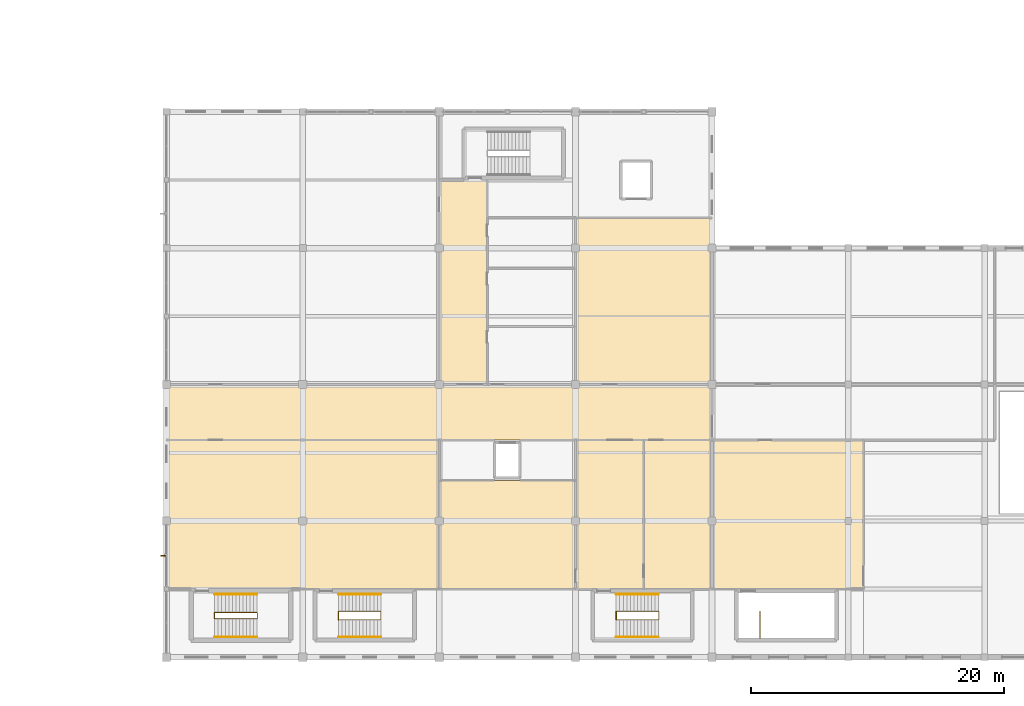
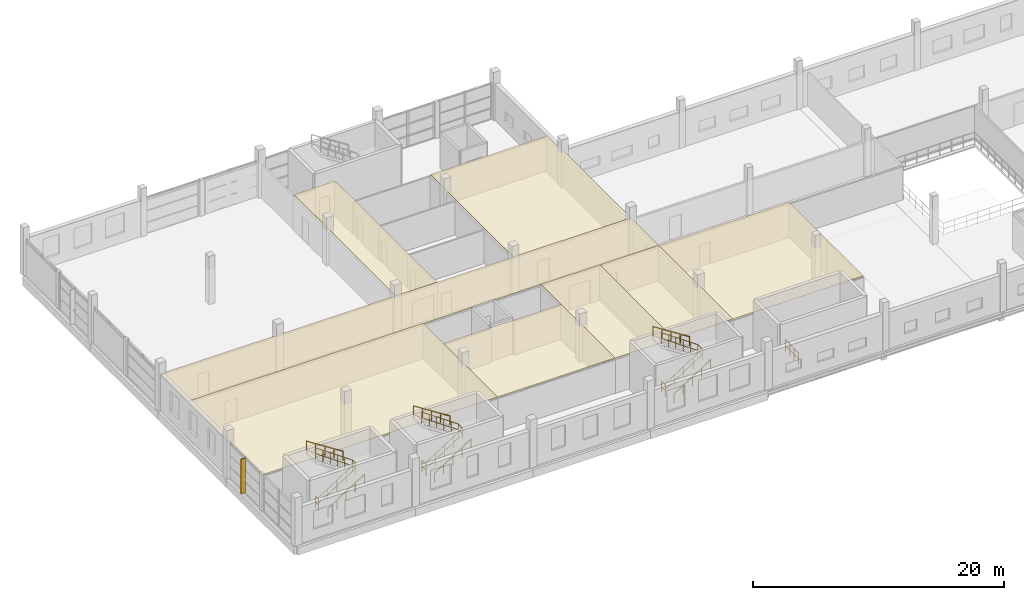
# One storey, part 21 of 24: 13 railings, 8 coverings, 1 shading device.
"""IFC4 building model written with IfcOpenShell, lengths in metres."""

from ifc_helpers import new_model, si_unit, direction, frame, origin, origin_2d, place, context, subcontext, project, spatial, polyline, rectangle, circle, outline, extrude, material, layer, layer_set, type_object, element, save


model = new_model("IFC4")

# Units and contexts
model_context = context("Model", 3, precision=1e-05, world=origin(), true_north=direction((0.0, 1.0)))
body_context = subcontext(model_context, "Body", "Model", "MODEL_VIEW")
ifc_project = project(units=[si_unit("LENGTHUNIT", "METRE"), si_unit("AREAUNIT", "SQUARE_METRE"), si_unit("VOLUMEUNIT", "CUBIC_METRE"), si_unit("PLANEANGLEUNIT", "RADIAN"), si_unit("MASSUNIT", "GRAM", prefix="KILO")], contexts=[model_context])

# Site, building, storey
site_placement = place(None, origin())
site = spatial("IfcSite", under=ifc_project, at=site_placement, CompositionType="ELEMENT")
building_placement = place(site_placement, origin())
building = spatial("IfcBuilding", under=site, at=building_placement, Name="Zwinboog Wholesale Market", CompositionType="ELEMENT")
storey_placement = place(building_placement, frame((0.0, 0.0, 10.080078125)))
storey = spatial("IfcBuildingStorey", under=building, at=storey_placement, Name="L02", CompositionType="ELEMENT", Elevation=10.080078125)

# Shading device
ifc_material_1 = material(Name="Western red cedar timber", Category="wood")
shading_device_type = type_object("IfcShadingDeviceType", Name="SHD-FIN-CEDAR", PredefinedType="USERDEFINED", material=ifc_material_1)
shading_device_placement = place(storey_placement, frame((129.344970703125, 8.0400390625, 0.080078125), z_axis=(0.0, 0.0, 1.0), x_axis=(1.0, 0.0, 0.0)))
element("IfcShadingDevice", 1, at=shading_device_placement, inside=storey, type_object=shading_device_type, Name="FN-01 (SHD-FIN-045)", ObjectType="FIN", PredefinedType="USERDEFINED", context=body_context, shape_type="SweptSolid", body=[
    extrude(rectangle(XDim=0.419921875, YDim=0.0849609375, at=origin_2d()), origin(), (0.0, 0.0, 1.0), 3.3798828125),
])

# Railings
ifc_material_2 = material(Name="Steel S355", Category="steel")
railing_type_1 = type_object("IfcRailingType", Name="RLT-INT-GUARD", PredefinedType="BALUSTRADE", material=ifc_material_2)
railing_1_placement = place(storey_placement, frame((176.6201171875, 3.639892578125, 0.0)))
element("IfcRailing", 2, at=railing_1_placement, inside=storey, type_object=railing_type_1, Name="GR-02 (RLG-ST-09B-GTOP)", PredefinedType="BALUSTRADE", context=body_context, shape_type="SweptSolid", body=[
    extrude(circle(Radius=0.02392578125, at=origin_2d()), frame((0.0, 0.0, 1.09619140625), z_axis=(0.0, -1.0, 0.0), x_axis=(1.0, 0.0, 0.0)), (0.0, 0.0, 1.0), 2.099853515625),
    extrude(circle(Radius=0.02392578125, at=origin_2d()), frame((0.0, 0.0, 0.5361328125), z_axis=(0.0, -1.0, 0.0), x_axis=(1.0, 0.0, 0.0)), (0.0, 0.0, 1.0), 2.099853515625),
    extrude(circle(Radius=0.02099609375, at=origin_2d()), origin(), (0.0, 0.0, 1.0), 1.072021484375),
    extrude(circle(Radius=0.02099609375, at=origin_2d()), frame((0.0, -0.699951171875, 0.0)), (0.0, 0.0, 1.0), 1.072021484375),
    extrude(circle(Radius=0.02099609375, at=origin_2d()), frame((0.0, -1.39990234375, 0.0)), (0.0, 0.0, 1.0), 1.072021484375),
    extrude(circle(Radius=0.02099609375, at=origin_2d()), frame((0.0, -2.099853515625, 0.0)), (0.0, 0.0, 1.0), 1.072021484375),
])
railing_2_placement = place(storey_placement, frame((133.419921875, 3.5400390625, 0.0)))
element("IfcRailing", 3, at=railing_2_placement, inside=storey, type_object=railing_type_1, Name="GR-02 (RLG-ST-10B-GTOP)", PredefinedType="BALUSTRADE", context=body_context, shape_type="SweptSolid", body=[
    extrude(circle(Radius=0.02392578125, at=origin_2d()), frame((0.0, 0.0, 1.09619140625), z_axis=(0.0, -1.0, 0.0), x_axis=(1.0, 0.0, 0.0)), (0.0, 0.0, 1.0), 0.47998046875),
    extrude(circle(Radius=0.02392578125, at=origin_2d()), frame((0.0, 0.0, 0.5361328125), z_axis=(0.0, -1.0, 0.0), x_axis=(1.0, 0.0, 0.0)), (0.0, 0.0, 1.0), 0.47998046875),
    extrude(circle(Radius=0.02099609375, at=origin_2d()), origin(), (0.0, 0.0, 1.0), 1.072021484375),
    extrude(circle(Radius=0.02099609375, at=origin_2d()), frame((0.0, -0.47998046875, 0.0)), (0.0, 0.0, 1.0), 1.072021484375),
])
railing_3_placement = place(storey_placement, frame((133.419921875, 3.06005859375, 0.179931640625)))
element("IfcRailing", 4, at=railing_3_placement, inside=storey, type_object=railing_type_1, Name="GR-02 (RLG-ST-10C-G1)", PredefinedType="BALUSTRADE", context=body_context, shape_type="SweptSolid", body=[
    extrude(circle(Radius=0.02392578125, at=origin_2d()), frame((0.0, 0.0, 1.09619140625), z_axis=(0.84119634759, 0.0, 0.540729789082), x_axis=(0.0, 1.0, 0.0)), (0.0, 0.0, 1.0), 3.994384765625),
    extrude(circle(Radius=0.02392578125, at=origin_2d()), frame((0.0, 0.0, 0.5361328125), z_axis=(0.84119634759, 0.0, 0.540729789082), x_axis=(0.0, 1.0, 0.0)), (0.0, 0.0, 1.0), 3.994384765625),
    extrude(circle(Radius=0.02392578125, at=origin_2d()), frame((3.360107421875, 0.0, 3.255859375), z_axis=(0.0, 1.0, 0.0), x_axis=(-1.0, 0.0, 0.0)), (0.0, 0.0, 1.0), 0.47998046875),
    extrude(circle(Radius=0.02392578125, at=origin_2d()), frame((3.360107421875, 0.0, 2.69580078125), z_axis=(0.0, 1.0, 0.0), x_axis=(-1.0, 0.0, 0.0)), (0.0, 0.0, 1.0), 0.47998046875),
    extrude(circle(Radius=0.02392578125, at=origin_2d()), frame((3.360107421875, 0.47998046875, 3.255859375), z_axis=(-0.820604917691, 0.0, 0.571495904677), x_axis=(0.0, -1.0, 0.0)), (0.0, 0.0, 1.0), 4.0947265625),
    extrude(circle(Radius=0.02392578125, at=origin_2d()), frame((3.360107421875, 0.47998046875, 2.69580078125), z_axis=(-0.820604917691, 0.0, 0.571495904677), x_axis=(0.0, -1.0, 0.0)), (0.0, 0.0, 1.0), 4.0947265625),
    extrude(circle(Radius=0.02099609375, at=origin_2d()), origin(), (0.0, 0.0, 1.0), 1.072021484375),
    extrude(circle(Radius=0.02099609375, at=origin_2d()), frame((0.840087890625, 0.0, 0.5400390625)), (0.0, 0.0, 1.0), 1.072021484375),
    extrude(circle(Radius=0.02099609375, at=origin_2d()), frame((1.68017578125, 0.0, 1.080078125)), (0.0, 0.0, 1.0), 1.072021484375),
    extrude(circle(Radius=0.02099609375, at=origin_2d()), frame((2.52001953125, 0.0, 1.619873046875)), (0.0, 0.0, 1.0), 1.072021484375),
    extrude(circle(Radius=0.02099609375, at=origin_2d()), frame((3.360107421875, 0.0, 2.159912109375)), (0.0, 0.0, 1.0), 1.072021484375),
    extrude(circle(Radius=0.02099609375, at=origin_2d()), frame((3.360107421875, 0.47998046875, 2.159912109375)), (0.0, 0.0, 1.0), 1.072021484375),
    extrude(circle(Radius=0.02099609375, at=origin_2d()), frame((2.68798828125, 0.47998046875, 2.6279296875)), (0.0, 0.0, 1.0), 1.072021484375),
    extrude(circle(Radius=0.02099609375, at=origin_2d()), frame((2.01611328125, 0.47998046875, 3.095947265625)), (0.0, 0.0, 1.0), 1.072021484375),
    extrude(circle(Radius=0.02099609375, at=origin_2d()), frame((1.343994140625, 0.47998046875, 3.56396484375)), (0.0, 0.0, 1.0), 1.072021484375),
    extrude(circle(Radius=0.02099609375, at=origin_2d()), frame((0.672119140625, 0.47998046875, 4.031982421875)), (0.0, 0.0, 1.0), 1.072021484375),
    extrude(circle(Radius=0.02099609375, at=origin_2d()), frame((0.0, 0.47998046875, 4.5)), (0.0, 0.0, 1.0), 1.072021484375),
])
railing_4_placement = place(storey_placement, frame((165.219970703125, 3.639892578125, 0.0)))
element("IfcRailing", 5, at=railing_4_placement, inside=storey, type_object=railing_type_1, Name="GR-02 (RLG-ST-11B-GTOP)", PredefinedType="BALUSTRADE", context=body_context, shape_type="SweptSolid", body=[
    extrude(circle(Radius=0.02392578125, at=origin_2d()), frame((0.0, 0.0, 1.09619140625), z_axis=(0.0, -1.0, 0.0), x_axis=(1.0, 0.0, 0.0)), (0.0, 0.0, 1.0), 0.679931640625),
    extrude(circle(Radius=0.02392578125, at=origin_2d()), frame((0.0, 0.0, 0.5361328125), z_axis=(0.0, -1.0, 0.0), x_axis=(1.0, 0.0, 0.0)), (0.0, 0.0, 1.0), 0.679931640625),
    extrude(circle(Radius=0.02099609375, at=origin_2d()), origin(), (0.0, 0.0, 1.0), 1.072021484375),
    extrude(circle(Radius=0.02099609375, at=origin_2d()), frame((0.0, -0.679931640625, 0.0)), (0.0, 0.0, 1.0), 1.072021484375),
])
railing_5_placement = place(storey_placement, frame((165.219970703125, 2.9599609375, 0.179931640625)))
element("IfcRailing", 6, at=railing_5_placement, inside=storey, type_object=railing_type_1, Name="GR-02 (RLG-ST-11C-G1)", PredefinedType="BALUSTRADE", context=body_context, shape_type="SweptSolid", body=[
    extrude(circle(Radius=0.02392578125, at=origin_2d()), frame((0.0, 0.0, 1.09619140625), z_axis=(0.84119634759, 0.0, 0.540729789082), x_axis=(0.0, 1.0, 0.0)), (0.0, 0.0, 1.0), 3.994384765625),
    extrude(circle(Radius=0.02392578125, at=origin_2d()), frame((0.0, 0.0, 0.5361328125), z_axis=(0.84119634759, 0.0, 0.540729789082), x_axis=(0.0, 1.0, 0.0)), (0.0, 0.0, 1.0), 3.994384765625),
    extrude(circle(Radius=0.02392578125, at=origin_2d()), frame((3.360107421875, 0.0, 3.255859375), z_axis=(0.0, 1.0, 0.0), x_axis=(-1.0, 0.0, 0.0)), (0.0, 0.0, 1.0), 0.679931640625),
    extrude(circle(Radius=0.02392578125, at=origin_2d()), frame((3.360107421875, 0.0, 2.69580078125), z_axis=(0.0, 1.0, 0.0), x_axis=(-1.0, 0.0, 0.0)), (0.0, 0.0, 1.0), 0.679931640625),
    extrude(circle(Radius=0.02392578125, at=origin_2d()), frame((3.360107421875, 0.679931640625, 3.255859375), z_axis=(-0.820604917691, 0.0, 0.571495904677), x_axis=(0.0, -1.0, 0.0)), (0.0, 0.0, 1.0), 4.0947265625),
    extrude(circle(Radius=0.02392578125, at=origin_2d()), frame((3.360107421875, 0.679931640625, 2.69580078125), z_axis=(-0.820604917691, 0.0, 0.571495904677), x_axis=(0.0, -1.0, 0.0)), (0.0, 0.0, 1.0), 4.0947265625),
    extrude(circle(Radius=0.02099609375, at=origin_2d()), origin(), (0.0, 0.0, 1.0), 1.072021484375),
    extrude(circle(Radius=0.02099609375, at=origin_2d()), frame((0.840087890625, 0.0, 0.5400390625)), (0.0, 0.0, 1.0), 1.072021484375),
    extrude(circle(Radius=0.02099609375, at=origin_2d()), frame((1.68017578125, 0.0, 1.080078125)), (0.0, 0.0, 1.0), 1.072021484375),
    extrude(circle(Radius=0.02099609375, at=origin_2d()), frame((2.52001953125, 0.0, 1.619873046875)), (0.0, 0.0, 1.0), 1.072021484375),
    extrude(circle(Radius=0.02099609375, at=origin_2d()), frame((3.360107421875, 0.0, 2.159912109375)), (0.0, 0.0, 1.0), 1.072021484375),
    extrude(circle(Radius=0.02099609375, at=origin_2d()), frame((3.360107421875, 0.679931640625, 2.159912109375)), (0.0, 0.0, 1.0), 1.072021484375),
    extrude(circle(Radius=0.02099609375, at=origin_2d()), frame((2.68798828125, 0.679931640625, 2.6279296875)), (0.0, 0.0, 1.0), 1.072021484375),
    extrude(circle(Radius=0.02099609375, at=origin_2d()), frame((2.01611328125, 0.679931640625, 3.095947265625)), (0.0, 0.0, 1.0), 1.072021484375),
    extrude(circle(Radius=0.02099609375, at=origin_2d()), frame((1.343994140625, 0.679931640625, 3.56396484375)), (0.0, 0.0, 1.0), 1.072021484375),
    extrude(circle(Radius=0.02099609375, at=origin_2d()), frame((0.672119140625, 0.679931640625, 4.031982421875)), (0.0, 0.0, 1.0), 1.072021484375),
    extrude(circle(Radius=0.02099609375, at=origin_2d()), frame((0.0, 0.679931640625, 4.5)), (0.0, 0.0, 1.0), 1.072021484375),
])
railing_6_placement = place(storey_placement, frame((143.219970703125, 3.639892578125, 0.0)))
element("IfcRailing", 7, at=railing_6_placement, inside=storey, type_object=railing_type_1, Name="GR-02 (RLG-ST-13B-GTOP)", PredefinedType="BALUSTRADE", context=body_context, shape_type="SweptSolid", body=[
    extrude(circle(Radius=0.02392578125, at=origin_2d()), frame((0.0, 0.0, 1.09619140625), z_axis=(0.0, -1.0, 0.0), x_axis=(1.0, 0.0, 0.0)), (0.0, 0.0, 1.0), 0.679931640625),
    extrude(circle(Radius=0.02392578125, at=origin_2d()), frame((0.0, 0.0, 0.5361328125), z_axis=(0.0, -1.0, 0.0), x_axis=(1.0, 0.0, 0.0)), (0.0, 0.0, 1.0), 0.679931640625),
    extrude(circle(Radius=0.02099609375, at=origin_2d()), origin(), (0.0, 0.0, 1.0), 1.072021484375),
    extrude(circle(Radius=0.02099609375, at=origin_2d()), frame((0.0, -0.679931640625, 0.0)), (0.0, 0.0, 1.0), 1.072021484375),
])
railing_7_placement = place(storey_placement, frame((143.219970703125, 2.9599609375, 0.179931640625)))
element("IfcRailing", 8, at=railing_7_placement, inside=storey, type_object=railing_type_1, Name="GR-02 (RLG-ST-13C-G1)", PredefinedType="BALUSTRADE", context=body_context, shape_type="SweptSolid", body=[
    extrude(circle(Radius=0.02392578125, at=origin_2d()), frame((0.0, 0.0, 1.09619140625), z_axis=(0.84119634759, 0.0, 0.540729789082), x_axis=(0.0, 1.0, 0.0)), (0.0, 0.0, 1.0), 3.994384765625),
    extrude(circle(Radius=0.02392578125, at=origin_2d()), frame((0.0, 0.0, 0.5361328125), z_axis=(0.84119634759, 0.0, 0.540729789082), x_axis=(0.0, 1.0, 0.0)), (0.0, 0.0, 1.0), 3.994384765625),
    extrude(circle(Radius=0.02392578125, at=origin_2d()), frame((3.360107421875, 0.0, 3.255859375), z_axis=(0.0, 1.0, 0.0), x_axis=(-1.0, 0.0, 0.0)), (0.0, 0.0, 1.0), 0.679931640625),
    extrude(circle(Radius=0.02392578125, at=origin_2d()), frame((3.360107421875, 0.0, 2.69580078125), z_axis=(0.0, 1.0, 0.0), x_axis=(-1.0, 0.0, 0.0)), (0.0, 0.0, 1.0), 0.679931640625),
    extrude(circle(Radius=0.02392578125, at=origin_2d()), frame((3.360107421875, 0.679931640625, 3.255859375), z_axis=(-0.820604917691, 0.0, 0.571495904677), x_axis=(0.0, -1.0, 0.0)), (0.0, 0.0, 1.0), 4.0947265625),
    extrude(circle(Radius=0.02392578125, at=origin_2d()), frame((3.360107421875, 0.679931640625, 2.69580078125), z_axis=(-0.820604917691, 0.0, 0.571495904677), x_axis=(0.0, -1.0, 0.0)), (0.0, 0.0, 1.0), 4.0947265625),
    extrude(circle(Radius=0.02099609375, at=origin_2d()), origin(), (0.0, 0.0, 1.0), 1.072021484375),
    extrude(circle(Radius=0.02099609375, at=origin_2d()), frame((0.840087890625, 0.0, 0.5400390625)), (0.0, 0.0, 1.0), 1.072021484375),
    extrude(circle(Radius=0.02099609375, at=origin_2d()), frame((1.68017578125, 0.0, 1.080078125)), (0.0, 0.0, 1.0), 1.072021484375),
    extrude(circle(Radius=0.02099609375, at=origin_2d()), frame((2.52001953125, 0.0, 1.619873046875)), (0.0, 0.0, 1.0), 1.072021484375),
    extrude(circle(Radius=0.02099609375, at=origin_2d()), frame((3.360107421875, 0.0, 2.159912109375)), (0.0, 0.0, 1.0), 1.072021484375),
    extrude(circle(Radius=0.02099609375, at=origin_2d()), frame((3.360107421875, 0.679931640625, 2.159912109375)), (0.0, 0.0, 1.0), 1.072021484375),
    extrude(circle(Radius=0.02099609375, at=origin_2d()), frame((2.68798828125, 0.679931640625, 2.6279296875)), (0.0, 0.0, 1.0), 1.072021484375),
    extrude(circle(Radius=0.02099609375, at=origin_2d()), frame((2.01611328125, 0.679931640625, 3.095947265625)), (0.0, 0.0, 1.0), 1.072021484375),
    extrude(circle(Radius=0.02099609375, at=origin_2d()), frame((1.343994140625, 0.679931640625, 3.56396484375)), (0.0, 0.0, 1.0), 1.072021484375),
    extrude(circle(Radius=0.02099609375, at=origin_2d()), frame((0.672119140625, 0.679931640625, 4.031982421875)), (0.0, 0.0, 1.0), 1.072021484375),
    extrude(circle(Radius=0.02099609375, at=origin_2d()), frame((0.0, 0.679931640625, 4.5)), (0.0, 0.0, 1.0), 1.072021484375),
])
railing_type_2 = type_object("IfcRailingType", Name="RLT-HANDRAIL", PredefinedType="HANDRAIL", material=ifc_material_2)
railing_8_placement = place(storey_placement, frame((133.419921875, 1.610107421875, 0.179931640625)))
element("IfcRailing", 9, at=railing_8_placement, inside=storey, type_object=railing_type_2, Name="HR-01 (RLG-ST-10C-HR1)", PredefinedType="HANDRAIL", context=body_context, shape_type="SweptSolid", body=[
    extrude(circle(Radius=0.02392578125, at=origin_2d()), frame((0.0, 0.0, 0.8759765625), z_axis=(0.84119634759, 0.0, 0.540729789082), x_axis=(0.0, 1.0, 0.0)), (0.0, 0.0, 1.0), 3.994384765625),
    extrude(circle(Radius=0.02099609375, at=origin_2d()), origin(), (0.0, 0.0, 1.0), 0.851806640625),
    extrude(circle(Radius=0.02099609375, at=origin_2d()), frame((0.840087890625, 0.0, 0.5400390625)), (0.0, 0.0, 1.0), 0.851806640625),
    extrude(circle(Radius=0.02099609375, at=origin_2d()), frame((1.68017578125, 0.0, 1.080078125)), (0.0, 0.0, 1.0), 0.851806640625),
    extrude(circle(Radius=0.02099609375, at=origin_2d()), frame((2.52001953125, 0.0, 1.619873046875)), (0.0, 0.0, 1.0), 0.851806640625),
    extrude(circle(Radius=0.02099609375, at=origin_2d()), frame((3.360107421875, 0.0, 2.159912109375)), (0.0, 0.0, 1.0), 0.851806640625),
])
railing_9_placement = place(storey_placement, frame((136.780029296875, 4.989990234375, 2.52001953125)))
element("IfcRailing", 10, at=railing_9_placement, inside=storey, type_object=railing_type_2, Name="HR-01 (RLG-ST-10C-HR2)", PredefinedType="HANDRAIL", context=body_context, shape_type="SweptSolid", body=[
    extrude(circle(Radius=0.02392578125, at=origin_2d()), frame((0.0, 0.0, 0.8759765625), z_axis=(-0.84119634759, 0.0, 0.540729789082), x_axis=(0.0, -1.0, 0.0)), (0.0, 0.0, 1.0), 3.994384765625),
    extrude(circle(Radius=0.02099609375, at=origin_2d()), origin(), (0.0, 0.0, 1.0), 0.851806640625),
    extrude(circle(Radius=0.02099609375, at=origin_2d()), frame((-0.840087890625, 0.0, 0.5400390625)), (0.0, 0.0, 1.0), 0.851806640625),
    extrude(circle(Radius=0.02099609375, at=origin_2d()), frame((-1.68017578125, 0.0, 1.080078125)), (0.0, 0.0, 1.0), 0.851806640625),
    extrude(circle(Radius=0.02099609375, at=origin_2d()), frame((-2.52001953125, 0.0, 1.619873046875)), (0.0, 0.0, 1.0), 0.851806640625),
    extrude(circle(Radius=0.02099609375, at=origin_2d()), frame((-3.360107421875, 0.0, 2.159912109375)), (0.0, 0.0, 1.0), 0.851806640625),
])
railing_10_placement = place(storey_placement, frame((165.219970703125, 1.610107421875, 0.179931640625)))
element("IfcRailing", 11, at=railing_10_placement, inside=storey, type_object=railing_type_2, Name="HR-01 (RLG-ST-11C-HR1)", PredefinedType="HANDRAIL", context=body_context, shape_type="SweptSolid", body=[
    extrude(circle(Radius=0.02392578125, at=origin_2d()), frame((0.0, 0.0, 0.8759765625), z_axis=(0.84119634759, 0.0, 0.540729789082), x_axis=(0.0, 1.0, 0.0)), (0.0, 0.0, 1.0), 3.994384765625),
    extrude(circle(Radius=0.02099609375, at=origin_2d()), origin(), (0.0, 0.0, 1.0), 0.851806640625),
    extrude(circle(Radius=0.02099609375, at=origin_2d()), frame((0.840087890625, 0.0, 0.5400390625)), (0.0, 0.0, 1.0), 0.851806640625),
    extrude(circle(Radius=0.02099609375, at=origin_2d()), frame((1.68017578125, 0.0, 1.080078125)), (0.0, 0.0, 1.0), 0.851806640625),
    extrude(circle(Radius=0.02099609375, at=origin_2d()), frame((2.52001953125, 0.0, 1.619873046875)), (0.0, 0.0, 1.0), 0.851806640625),
    extrude(circle(Radius=0.02099609375, at=origin_2d()), frame((3.360107421875, 0.0, 2.159912109375)), (0.0, 0.0, 1.0), 0.851806640625),
])
railing_11_placement = place(storey_placement, frame((168.580078125, 4.989990234375, 2.52001953125)))
element("IfcRailing", 12, at=railing_11_placement, inside=storey, type_object=railing_type_2, Name="HR-01 (RLG-ST-11C-HR2)", PredefinedType="HANDRAIL", context=body_context, shape_type="SweptSolid", body=[
    extrude(circle(Radius=0.02392578125, at=origin_2d()), frame((0.0, 0.0, 0.8759765625), z_axis=(-0.84119634759, 0.0, 0.540729789082), x_axis=(0.0, -1.0, 0.0)), (0.0, 0.0, 1.0), 3.994384765625),
    extrude(circle(Radius=0.02099609375, at=origin_2d()), origin(), (0.0, 0.0, 1.0), 0.851806640625),
    extrude(circle(Radius=0.02099609375, at=origin_2d()), frame((-0.840087890625, 0.0, 0.5400390625)), (0.0, 0.0, 1.0), 0.851806640625),
    extrude(circle(Radius=0.02099609375, at=origin_2d()), frame((-1.68017578125, 0.0, 1.080078125)), (0.0, 0.0, 1.0), 0.851806640625),
    extrude(circle(Radius=0.02099609375, at=origin_2d()), frame((-2.52001953125, 0.0, 1.619873046875)), (0.0, 0.0, 1.0), 0.851806640625),
    extrude(circle(Radius=0.02099609375, at=origin_2d()), frame((-3.360107421875, 0.0, 2.159912109375)), (0.0, 0.0, 1.0), 0.851806640625),
])
railing_12_placement = place(storey_placement, frame((143.219970703125, 1.610107421875, 0.179931640625)))
element("IfcRailing", 13, at=railing_12_placement, inside=storey, type_object=railing_type_2, Name="HR-01 (RLG-ST-13C-HR1)", PredefinedType="HANDRAIL", context=body_context, shape_type="SweptSolid", body=[
    extrude(circle(Radius=0.02392578125, at=origin_2d()), frame((0.0, 0.0, 0.8759765625), z_axis=(0.84119634759, 0.0, 0.540729789082), x_axis=(0.0, 1.0, 0.0)), (0.0, 0.0, 1.0), 3.994384765625),
    extrude(circle(Radius=0.02099609375, at=origin_2d()), origin(), (0.0, 0.0, 1.0), 0.851806640625),
    extrude(circle(Radius=0.02099609375, at=origin_2d()), frame((0.840087890625, 0.0, 0.5400390625)), (0.0, 0.0, 1.0), 0.851806640625),
    extrude(circle(Radius=0.02099609375, at=origin_2d()), frame((1.68017578125, 0.0, 1.080078125)), (0.0, 0.0, 1.0), 0.851806640625),
    extrude(circle(Radius=0.02099609375, at=origin_2d()), frame((2.52001953125, 0.0, 1.619873046875)), (0.0, 0.0, 1.0), 0.851806640625),
    extrude(circle(Radius=0.02099609375, at=origin_2d()), frame((3.360107421875, 0.0, 2.159912109375)), (0.0, 0.0, 1.0), 0.851806640625),
])
railing_13_placement = place(storey_placement, frame((146.580078125, 4.989990234375, 2.52001953125)))
element("IfcRailing", 14, at=railing_13_placement, inside=storey, type_object=railing_type_2, Name="HR-01 (RLG-ST-13C-HR2)", PredefinedType="HANDRAIL", context=body_context, shape_type="SweptSolid", body=[
    extrude(circle(Radius=0.02392578125, at=origin_2d()), frame((0.0, 0.0, 0.8759765625), z_axis=(-0.84119634759, 0.0, 0.540729789082), x_axis=(0.0, -1.0, 0.0)), (0.0, 0.0, 1.0), 3.994384765625),
    extrude(circle(Radius=0.02099609375, at=origin_2d()), origin(), (0.0, 0.0, 1.0), 0.851806640625),
    extrude(circle(Radius=0.02099609375, at=origin_2d()), frame((-0.840087890625, 0.0, 0.5400390625)), (0.0, 0.0, 1.0), 0.851806640625),
    extrude(circle(Radius=0.02099609375, at=origin_2d()), frame((-1.68017578125, 0.0, 1.080078125)), (0.0, 0.0, 1.0), 0.851806640625),
    extrude(circle(Radius=0.02099609375, at=origin_2d()), frame((-2.52001953125, 0.0, 1.619873046875)), (0.0, 0.0, 1.0), 0.851806640625),
    extrude(circle(Radius=0.02099609375, at=origin_2d()), frame((-3.360107421875, 0.0, 2.159912109375)), (0.0, 0.0, 1.0), 0.851806640625),
])

# Coverings
ifc_material_3 = material(Name="Hygienic washable acoustic gypsum ceiling")
ifc_layer = layer(ifc_material_3, 0.050048828125)
ifc_layer_set = layer_set([ifc_layer], Name="Hygienic washable acoustic gypsum ceiling")
covering_type = type_object("IfcCoveringType", Name="COV-CEIL-HYG", PredefinedType="CEILING", material=ifc_layer_set)
covering_1_placement = place(storey_placement, frame((0.0, 0.0, 3.329833984375)))
element("IfcCovering", 15, at=covering_1_placement, inside=storey, type_object=covering_type, Name="CL-02 (COV-CL-L02-034)", PredefinedType="CEILING", context=body_context, shape_type="SweptSolid", body=[
    extrude(outline(polyline([(129.60009765625, 17.199951171875), (172.800048828125, 17.199951171875), (172.800048828125, 21.60009765625), (129.60009765625, 21.60009765625), (129.60009765625, 17.199951171875)])), origin(), (0.0, 0.0, 1.0), 0.050048828125),
])
covering_2_placement = place(storey_placement, frame((0.0, 0.0, 3.329833984375)))
element("IfcCovering", 16, at=covering_2_placement, inside=storey, type_object=covering_type, Name="CL-02 (COV-CL-L02-035)", PredefinedType="CEILING", context=body_context, shape_type="SweptSolid", body=[
    extrude(outline(polyline([(162.0, 5.39990234375), (167.39990234375, 5.39990234375), (167.39990234375, 17.199951171875), (162.0, 17.199951171875), (162.0, 5.39990234375)])), origin(), (0.0, 0.0, 1.0), 0.050048828125),
])
covering_3_placement = place(storey_placement, frame((0.0, 0.0, 3.329833984375)))
element("IfcCovering", 17, at=covering_3_placement, inside=storey, type_object=covering_type, Name="CL-02 (COV-CL-L02-036)", PredefinedType="CEILING", context=body_context, shape_type="SweptSolid", body=[
    extrude(outline(polyline([(129.60009765625, 5.39990234375), (151.199951171875, 5.39990234375), (151.199951171875, 17.199951171875), (129.60009765625, 17.199951171875), (129.60009765625, 5.39990234375)])), origin(), (0.0, 0.0, 1.0), 0.050048828125),
])
covering_4_placement = place(storey_placement, frame((0.0, 0.0, 3.329833984375)))
element("IfcCovering", 18, at=covering_4_placement, inside=storey, type_object=covering_type, Name="CL-02 (COV-CL-L02-037)", PredefinedType="CEILING", context=body_context, shape_type="SweptSolid", body=[
    extrude(outline(polyline([(151.199951171875, 5.39990234375), (162.0, 5.39990234375), (162.0, 14.0), (151.199951171875, 14.0), (151.199951171875, 5.39990234375)])), origin(), (0.0, 0.0, 1.0), 0.050048828125),
])
covering_5_placement = place(storey_placement, frame((0.0, 0.0, 3.329833984375)))
element("IfcCovering", 19, at=covering_5_placement, inside=storey, type_object=covering_type, Name="CL-02 (COV-CL-L02-038)", PredefinedType="CEILING", context=body_context, shape_type="SweptSolid", body=[
    extrude(outline(polyline([(167.39990234375, 5.39990234375), (172.800048828125, 5.39990234375), (172.800048828125, 17.199951171875), (167.39990234375, 17.199951171875), (167.39990234375, 5.39990234375)])), origin(), (0.0, 0.0, 1.0), 0.050048828125),
])
covering_6_placement = place(storey_placement, frame((0.0, 0.0, 3.329833984375)))
element("IfcCovering", 20, at=covering_6_placement, inside=storey, type_object=covering_type, Name="CL-02 (COV-CL-L02-040)", PredefinedType="CEILING", context=body_context, shape_type="SweptSolid", body=[
    extrude(outline(polyline([(151.199951171875, 21.60009765625), (155.0, 21.60009765625), (155.0, 37.800048828125), (151.199951171875, 37.800048828125), (151.199951171875, 21.60009765625)])), origin(), (0.0, 0.0, 1.0), 0.050048828125),
])
covering_7_placement = place(storey_placement, frame((0.0, 0.0, 3.329833984375)))
element("IfcCovering", 21, at=covering_7_placement, inside=storey, type_object=covering_type, Name="CL-02 (COV-CL-L02-041)", PredefinedType="CEILING", context=body_context, shape_type="SweptSolid", body=[
    extrude(outline(polyline([(162.0, 21.60009765625), (172.800048828125, 21.60009765625), (172.800048828125, 34.800048828125), (162.0, 34.800048828125), (162.0, 21.60009765625)])), origin(), (0.0, 0.0, 1.0), 0.050048828125),
])
covering_8_placement = place(storey_placement, frame((0.0, 0.0, 3.329833984375)))
element("IfcCovering", 22, at=covering_8_placement, inside=storey, type_object=covering_type, Name="CL-02 (COV-CL-L02-044)", PredefinedType="CEILING", context=body_context, shape_type="SweptSolid", body=[
    extrude(outline(polyline([(172.800048828125, 5.39990234375), (184.800048828125, 5.39990234375), (184.800048828125, 17.199951171875), (172.800048828125, 17.199951171875), (172.800048828125, 5.39990234375)])), origin(), (0.0, 0.0, 1.0), 0.050048828125),
])

save(model, "model.ifc")
